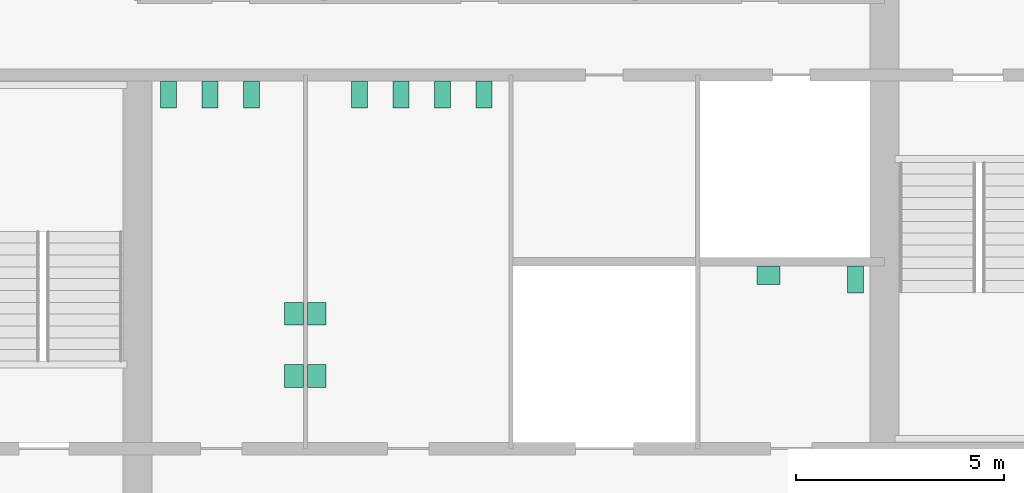
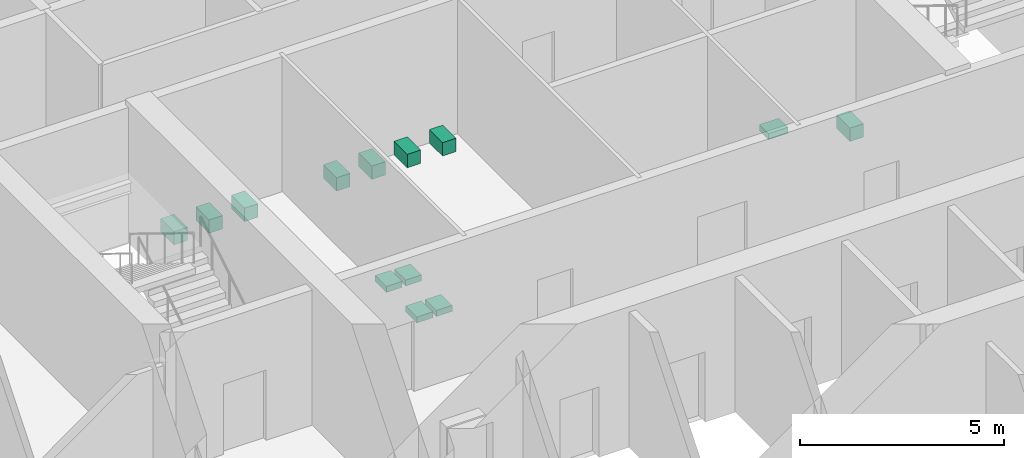
# One storey, part 13 of 13: 13 sanitary terminals.
"""IFC4 building model written with IfcOpenShell, lengths in metres."""

from ifc_helpers import new_model, si_unit, direction, frame, origin, origin_2d, place, context, subcontext, project, spatial, rectangle, extrude, material, type_object, element, save


model = new_model("IFC4")

# Units and contexts
model_context = context("Model", 3, precision=1e-05, world=origin(), true_north=direction((0.0, 1.0)))
body_context = subcontext(model_context, "Body", "Model", "MODEL_VIEW")
ifc_project = project(units=[si_unit("LENGTHUNIT", "METRE"), si_unit("AREAUNIT", "SQUARE_METRE"), si_unit("VOLUMEUNIT", "CUBIC_METRE"), si_unit("PLANEANGLEUNIT", "RADIAN"), si_unit("MASSUNIT", "GRAM", prefix="KILO")], contexts=[model_context])

# Site, building, storey
site_placement = place(None, origin())
site = spatial("IfcSite", under=ifc_project, at=site_placement, CompositionType="ELEMENT")
building_placement = place(site_placement, origin())
building = spatial("IfcBuilding", under=site, at=building_placement, Name="Corais Broadcast Tower", CompositionType="ELEMENT")
storey_placement = place(building_placement, frame((0.0, 0.0, 96.199951171875)))
storey = spatial("IfcBuildingStorey", under=building, at=storey_placement, Name="L21", CompositionType="ELEMENT", Elevation=96.199951171875)

# Sanitary terminals
ifc_material_1 = material(Name="Vitreous china", Category="ceramic")
sanitary_terminal_type_1 = type_object("IfcSanitaryTerminalType", Name="WC pan 380x650", PredefinedType="TOILETPAN", material=ifc_material_1)
for number, where, z_axis, x_axis, name in (
    (1, (18.75, 31.02490234375, 0.0), (0.0, 0.0, 1.0), (1.0, 0.0, 0.0), "SW1 WC pan, male toilets L21"),
    (2, (19.75, 31.02490234375, 0.0), (0.0, 0.0, 1.0), (1.0, 0.0, 0.0), "SW1 WC pan, male toilets L21"),
    (3, (20.75, 31.02490234375, 0.0), (0.0, 0.0, 1.0), (1.0, 0.0, 0.0), "SW1 WC pan, male toilets L21"),
    (4, (23.35009765625, 31.02490234375, 0.0), (0.0, 0.0, 1.0), (1.0, 0.0, 0.0), "SW1 WC pan, female toilets L21"),
    (5, (24.35009765625, 31.02490234375, 0.0), (0.0, 0.0, 1.0), (1.0, 0.0, 0.0), "SW1 WC pan, female toilets L21"),
    (6, (25.35009765625, 31.02490234375, 0.0), (0.0, 0.0, 1.0), (1.0, 0.0, 0.0), "SW1 WC pan, female toilets L21"),
    (7, (26.35009765625, 31.02490234375, 0.0), (0.0, 0.0, 1.0), (1.0, 0.0, 0.0), "SW1 WC pan, female toilets L21"),
    (8, (35.300048828125, 26.574951171875, 0.0), (0.0, 0.0, 1.0), (1.0, 0.0, 0.0), "SW1 WC pan, accessible WC L21"),
):
    element("IfcSanitaryTerminal", number, at=place(storey_placement, frame(where, z_axis=z_axis, x_axis=x_axis)), inside=storey, type_object=sanitary_terminal_type_1, Name=name, PredefinedType="TOILETPAN", context=body_context, shape_type="SweptSolid", body=[
        extrude(rectangle(XDim=0.3798828125, YDim=0.64990234375, at=origin_2d()), origin(), (0.0, 0.0, 1.0), 0.39990234375),
    ])
ifc_material_2 = material(Name="Vitreous china", Category="ceramic")
sanitary_terminal_type_2 = type_object("IfcSanitaryTerminalType", Name="Wash basin 550x450", PredefinedType="WASHHANDBASIN", material=ifc_material_2)
for number, where, z_axis, x_axis, name in (
    (9, (21.77490234375, 24.25, 0.7001953125), (0.0, 0.0, 1.0), (1.0, 0.0, 0.0), "WB1 wash basin, male toilets L21"),
    (10, (21.77490234375, 25.75, 0.7001953125), (0.0, 0.0, 1.0), (1.0, 0.0, 0.0), "WB1 wash basin, male toilets L21"),
    (11, (22.324951171875, 24.25, 0.7001953125), (0.0, 0.0, 1.0), (1.0, 0.0, 0.0), "WB1 wash basin, female toilets L21"),
    (12, (22.324951171875, 25.75, 0.7001953125), (0.0, 0.0, 1.0), (1.0, 0.0, 0.0), "WB1 wash basin, female toilets L21"),
):
    element("IfcSanitaryTerminal", number, at=place(storey_placement, frame(where, z_axis=z_axis, x_axis=x_axis)), inside=storey, type_object=sanitary_terminal_type_2, Name=name, PredefinedType="WASHHANDBASIN", context=body_context, shape_type="SweptSolid", body=[
        extrude(rectangle(XDim=0.449951171875, YDim=0.550048828125, at=origin_2d()), origin(), (0.0, 0.0, 1.0), 0.179931640625),
    ])
sanitary_terminal_placement = place(storey_placement, frame((33.199951171875, 26.675048828125, 0.7001953125), z_axis=(0.0, 0.0, 1.0), x_axis=(1.0, 0.0, 0.0)))
element("IfcSanitaryTerminal", 13, at=sanitary_terminal_placement, inside=storey, type_object=sanitary_terminal_type_2, Name="WB1 wash basin, accessible WC L21", PredefinedType="WASHHANDBASIN", context=body_context, shape_type="SweptSolid", body=[
    extrude(rectangle(XDim=0.550048828125, YDim=0.449951171875, at=origin_2d()), origin(), (0.0, 0.0, 1.0), 0.179931640625),
])

save(model, "model.ifc")
